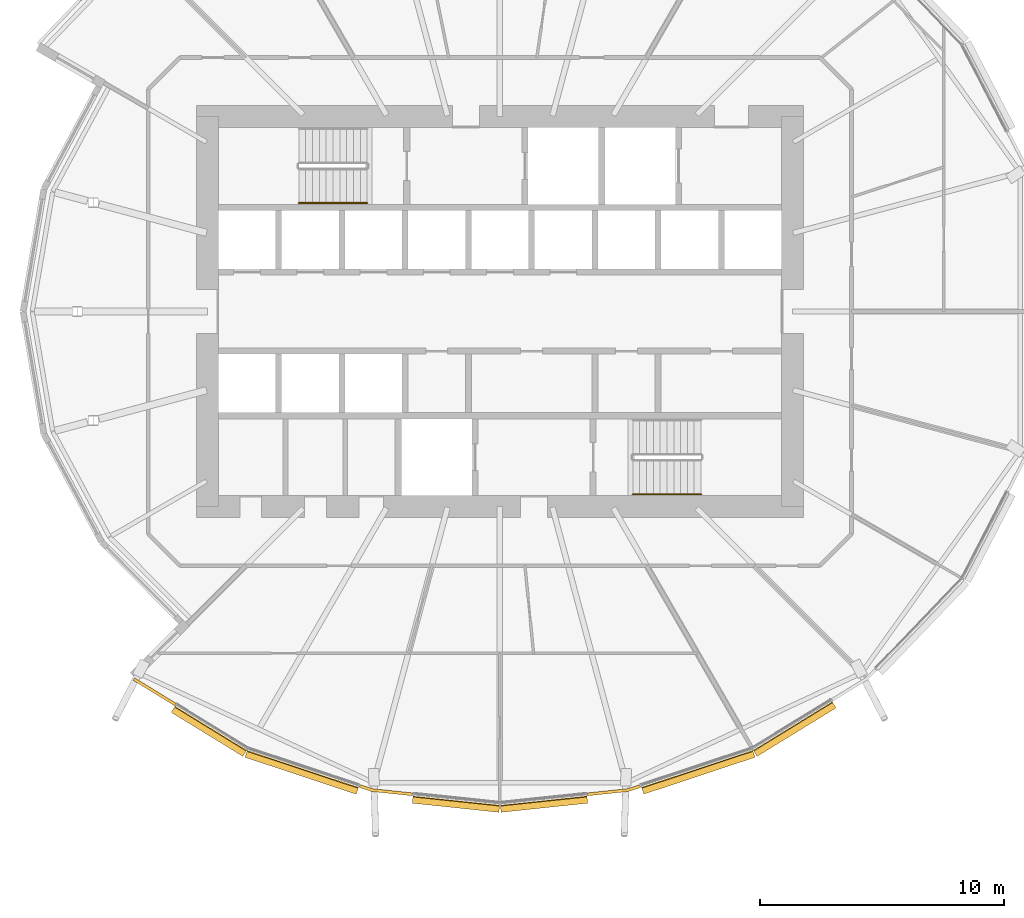
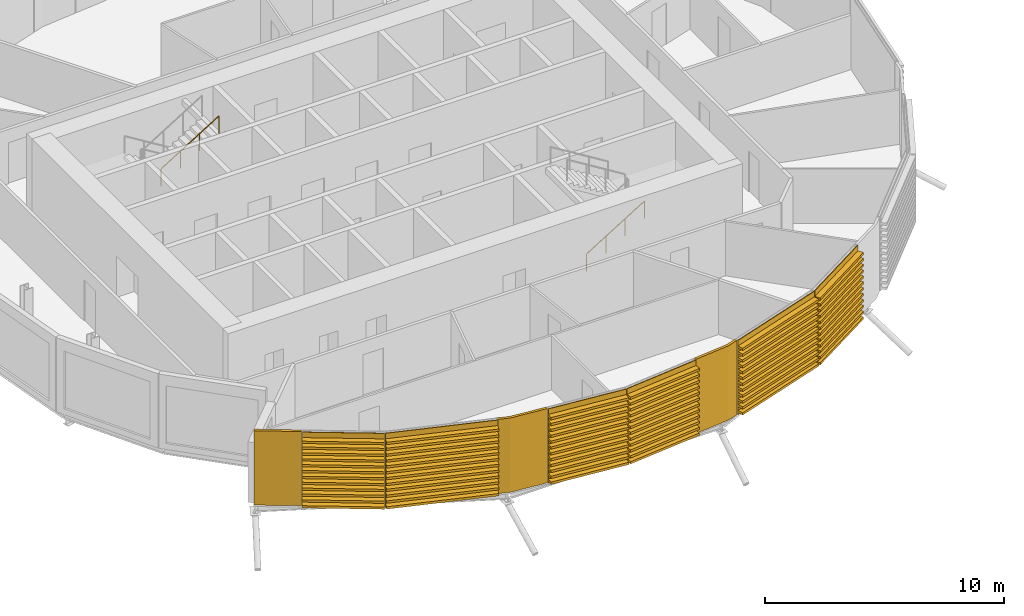
# One storey, part 32 of 37: 9 coverings, 2 railings.
"""IFC4 building model written with IfcOpenShell, lengths in metres."""

import ifcopenshell
import ifcopenshell.guid

model = None  # the IFC model being written
_history = None  # IfcOwnerHistory: only IFC2X3 demands one
_inside = {}  # id of a spatial element -> (the spatial element, [elements in it])
_under = {}  # id of a project, library or spatial element -> (it, [spatial elements below it])
_declared = {}  # id of a project -> (the project, [libraries it declares])
_typed = {}  # id of a type object -> (the type object, [elements of that type])
_made_of = {}  # id of a material, layer set ... -> (it, [elements and type objects made of it])


def new_model(schema):
    """Start an empty IFC model of exactly this schema.

    Asked for "IFC4X3", IfcOpenShell would pick the latest addendum, in which some entities
    have other attributes; the version numbers below select the first issue.
    IFC2X3 requires an IfcOwnerHistory on every rooted entity: one is made here for all.
    """
    global model, _history
    if schema == "IFC4X3":
        model = ifcopenshell.file(schema_version=(4, 3, 0, 0))
    else:
        model = ifcopenshell.file(schema=schema)
    _inside.clear()
    _under.clear()
    _declared.clear()
    _typed.clear()
    _made_of.clear()
    _history = None
    if model.schema == "IFC2X3":
        org = make("IfcOrganization", Name="unknown")
        user = make(
            "IfcPersonAndOrganization",
            ThePerson=make("IfcPerson", FamilyName="unknown"),
            TheOrganization=org,
        )
        app = make(
            "IfcApplication",
            ApplicationDeveloper=org,
            Version="unknown",
            ApplicationFullName="unknown",
            ApplicationIdentifier="unknown",
        )
        _history = make(
            "IfcOwnerHistory",
            OwningUser=user,
            OwningApplication=app,
            ChangeAction="ADDED",
            CreationDate=0,
        )
    return model


def make(cls, **values):
    """One entity of the class cls with the attributes given. An attribute that is None is left unset."""
    return model.create_entity(
        cls, **{name: value for name, value in values.items() if value is not None}
    )


def rooted(cls, **values):
    """An entity with a GlobalId (a new one), such as an element, a storey or a relation."""
    return make(cls, GlobalId=ifcopenshell.guid.new(), OwnerHistory=_history, **values)


def si_unit(unit_type, name, prefix=None):
    """IfcSIUnit, for example si_unit("LENGTHUNIT", "METRE", prefix="MILLI")."""
    return make("IfcSIUnit", UnitType=unit_type, Prefix=prefix, Name=name)


def assignment(units):
    """IfcUnitAssignment: the units of a project."""
    return None if units is None else make("IfcUnitAssignment", Units=units)


def point(xyz):
    """IfcCartesianPoint."""
    return None if xyz is None else make("IfcCartesianPoint", Coordinates=xyz)


def direction(xyz):
    """IfcDirection."""
    return None if xyz is None else make("IfcDirection", DirectionRatios=xyz)


def frame(location, z_axis=None, x_axis=None):
    """IfcAxis2Placement3D, a coordinate frame: its origin and axes. An axis left out is left unset."""
    return make(
        "IfcAxis2Placement3D",
        Location=point(location),
        Axis=direction(z_axis),
        RefDirection=direction(x_axis),
    )


def frame_2d(location, x_axis=None):
    """IfcAxis2Placement2D, a coordinate frame in the plane: its origin and x axis."""
    return make(
        "IfcAxis2Placement2D", Location=point(location), RefDirection=direction(x_axis)
    )


def origin():
    """The frame at (0, 0, 0) with its axes left unset."""
    return frame((0.0, 0.0, 0.0))


def origin_2d():
    """The frame at (0, 0) in the plane with its x axis left unset."""
    return frame_2d((0.0, 0.0))


def place(relative_to, where):
    """IfcLocalPlacement: puts the frame where relative to a parent placement (None: the world)."""
    return make(
        "IfcLocalPlacement", PlacementRelTo=relative_to, RelativePlacement=where
    )


def context(
    kind, dimensions, precision=None, world=None, true_north=None, identifier=None
):
    """IfcGeometricRepresentationContext, for example the 3D "Model" context."""
    return make(
        "IfcGeometricRepresentationContext",
        ContextIdentifier=identifier,
        ContextType=kind,
        CoordinateSpaceDimension=dimensions,
        Precision=precision,
        WorldCoordinateSystem=world,
        TrueNorth=true_north,
    )


def subcontext(parent, identifier, kind, view, scale=None):
    """IfcGeometricRepresentationSubContext, for example "Body" below "Model"."""
    return make(
        "IfcGeometricRepresentationSubContext",
        ContextIdentifier=identifier,
        ContextType=kind,
        ParentContext=parent,
        TargetScale=scale,
        TargetView=view,
    )


def project(units=None, contexts=None):
    """IfcProject with its units and contexts."""
    return rooted(
        "IfcProject",
        Name="project",
        RepresentationContexts=contexts,
        UnitsInContext=assignment(units),
    )


def spatial(cls, under=None, at=None, **own):
    """A site, building, storey or space (cls), placed at a placement, below another one or the project."""
    s = rooted(cls, ObjectPlacement=at, **own)
    if under is not None:
        _under.setdefault(under.id(), (under, []))[1].append(s)
    return s


def polyline(points):
    """IfcPolyline through the points."""
    return make("IfcPolyline", Points=[point(p) for p in points])


def profile(cls, at=None, kind="AREA", **sizes):
    """A parametric profile (cls). Its sizes go by their IFC names, for example OverallWidth=200.0."""
    return make(cls, ProfileType=kind, Position=at, **sizes)


def circle(**sizes):
    """IfcCircleProfileDef."""
    return profile("IfcCircleProfileDef", **sizes)


def outline(outer, holes=None, kind="AREA"):
    """IfcArbitraryClosedProfileDef: a profile drawn as a closed curve; with holes, ...WithVoids."""
    if holes is None:
        return make("IfcArbitraryClosedProfileDef", ProfileType=kind, OuterCurve=outer)
    return make(
        "IfcArbitraryProfileDefWithVoids",
        ProfileType=kind,
        OuterCurve=outer,
        InnerCurves=holes,
    )


def extrude(swept, where, along, depth):
    """IfcExtrudedAreaSolid: the profile swept, set in the frame where, extruded along a direction by depth."""
    return make(
        "IfcExtrudedAreaSolid",
        SweptArea=swept,
        Position=where,
        ExtrudedDirection=direction(along),
        Depth=depth,
    )


def shape(context_of_items, identifier, shape_type, items):
    """IfcShapeRepresentation: the items that make up one representation, for example the "Body"."""
    return make(
        "IfcShapeRepresentation",
        ContextOfItems=context_of_items,
        RepresentationIdentifier=identifier,
        RepresentationType=shape_type,
        Items=items,
    )


def material(Name=None, Category=None):
    """IfcMaterial."""
    return make("IfcMaterial", Name=Name, Category=Category)


def layer(
    of_material, thickness, ventilated=None, Name=None, Category=None, Priority=None
):
    """IfcMaterialLayer: one layer of a wall or slab, of a material (None: an air gap)."""
    return make(
        "IfcMaterialLayer",
        Material=of_material,
        LayerThickness=thickness,
        IsVentilated=ventilated,
        Name=Name,
        Category=Category,
        Priority=Priority,
    )


def layer_set(layers, Name=None):
    """IfcMaterialLayerSet."""
    return make("IfcMaterialLayerSet", MaterialLayers=layers, LayerSetName=Name)


def material_profile(
    of_material, cross_section, Name=None, Category=None, Priority=None
):
    """IfcMaterialProfile: a cross section and its material."""
    return make(
        "IfcMaterialProfile",
        Name=Name,
        Material=of_material,
        Profile=cross_section,
        Priority=Priority,
        Category=Category,
    )


def profile_set(profiles, Name=None, composite=None):
    """IfcMaterialProfileSet."""
    return make(
        "IfcMaterialProfileSet",
        Name=Name,
        MaterialProfiles=profiles,
        CompositeProfile=composite,
    )


def made_of(thing, what):
    """Note that an element or type object is made of a material, layer set ...; save() writes the relation."""
    if what is not None:
        _made_of.setdefault(what.id(), (what, []))[1].append(thing)
    return thing


def type_object(cls, material=None, **own):
    """A type object (cls), such as IfcWallType, which elements share."""
    return made_of(rooted(cls, **own), material)


def element(
    cls,
    number,
    at=None,
    inside=None,
    cuts=None,
    type_object=None,
    material=None,
    context=None,
    identifier="Body",
    shape_type=None,
    held_by="IfcProductDefinitionShape",
    body=None,
    shapes=None,
    **own,
):
    """One element of the class cls, such as IfcWall. Its Tag is "e" and its number.

    at: its placement. inside: the storey or other place that contains it. cuts: it is an
    opening in that element (IfcRelVoidsElement). A single representation is given by context,
    identifier, shape_type and body (its items); several are given by shapes. held_by: the class
    of the entity that holds the representations. save() writes the other relations.
    """
    e = rooted(cls, Tag="e%d" % number, ObjectPlacement=at, **own)
    if body is not None:
        shapes = [shape(context, identifier, shape_type, body)]
    if shapes is not None:
        e.Representation = make(held_by, Representations=shapes)
    if inside is not None:
        _inside.setdefault(inside.id(), (inside, []))[1].append(e)
    if cuts is not None:
        rooted(
            "IfcRelVoidsElement", RelatingBuildingElement=cuts, RelatedOpeningElement=e
        )
    if type_object is not None:
        _typed.setdefault(type_object.id(), (type_object, []))[1].append(e)
    return made_of(e, material)


def aggregate(whole, parts):
    """IfcRelAggregates: a whole, such as a stair, and the parts it consists of."""
    return rooted("IfcRelAggregates", RelatingObject=whole, RelatedObjects=parts)


def save(model, path):
    """Write the relations noted so far, then the file.

    IfcRelAggregates (storeys below a building ...), IfcRelContainedInSpatialStructure (elements
    in a storey), IfcRelDefinesByType, IfcRelAssociatesMaterial and IfcRelDeclares: one each for
    every whole, place, type object, material and project.
    """
    for whole, parts in _under.values():
        aggregate(whole, parts)
    for where, things in _inside.values():
        rooted(
            "IfcRelContainedInSpatialStructure",
            RelatedElements=things,
            RelatingStructure=where,
        )
    for kind, things in _typed.values():
        rooted("IfcRelDefinesByType", RelatedObjects=things, RelatingType=kind)
    for what, things in _made_of.values():
        rooted("IfcRelAssociatesMaterial", RelatedObjects=things, RelatingMaterial=what)
    for by, libraries in _declared.values():
        rooted("IfcRelDeclares", RelatingContext=by, RelatedDefinitions=libraries)
    model.write(path)


model = new_model("IFC4")

# Units and contexts
model_context = context("Model", 3, precision=1e-05, world=origin(), true_north=direction((0.0, 1.0)))
body_context = subcontext(model_context, "Body", "Model", "MODEL_VIEW")
ifc_project = project(units=[si_unit("LENGTHUNIT", "METRE"), si_unit("AREAUNIT", "SQUARE_METRE"), si_unit("VOLUMEUNIT", "CUBIC_METRE"), si_unit("PLANEANGLEUNIT", "RADIAN"), si_unit("MASSUNIT", "GRAM", prefix="KILO")], contexts=[model_context])

# Site, building, storey
site_placement = place(None, origin())
site = spatial("IfcSite", under=ifc_project, at=site_placement, CompositionType="ELEMENT")
building_placement = place(site_placement, origin())
building = spatial("IfcBuilding", under=site, at=building_placement, Name="Rimbun Link Towers", CompositionType="ELEMENT")
storey_placement = place(building_placement, frame((0.0, 0.0, 45.199951171875)))
storey = spatial("IfcBuildingStorey", under=building, at=storey_placement, Name="L10", CompositionType="ELEMENT", Elevation=45.199951171875)

# Coverings
ifc_material_1 = material(Name="Terracotta", Category="masonry")
ifc_layer = layer(ifc_material_1, 0.1201171875)
ifc_layer_set = layer_set([ifc_layer], Name="LINK PIER terracotta cladding 120")
covering_type_1 = type_object("IfcCoveringType", Name="LINK PIER terracotta cladding 120", PredefinedType="CLADDING", material=ifc_layer_set)
covering_1_placement = place(storey_placement, origin())
element("IfcCovering", 1, at=covering_1_placement, inside=storey, type_object=covering_type_1, Name="LINK PIER cladding", PredefinedType="CLADDING", context=body_context, shape_type="SweptSolid", body=[
    extrude(outline(polyline([(-45.041748046875, -16.070068359375), (-46.737548828125, -15.02880859375), (-46.800537109375, -15.131103515625), (-45.1044921875, -16.17236328125), (-45.041748046875, -16.070068359375)])), origin(), (0.0, 0.0, 1.0), 3.800048828125),
])
covering_2_placement = place(storey_placement, origin())
element("IfcCovering", 2, at=covering_2_placement, inside=storey, type_object=covering_type_1, Name="LINK PIER cladding", PredefinedType="CLADDING", context=body_context, shape_type="SweptSolid", body=[
    extrude(outline(polyline([(-35.333984375, -19.7490234375), (-36.994873046875, -19.57421875), (-37.488525390625, -19.41064453125), (-37.5263671875, -19.524658203125), (-37.020263671875, -19.692138671875), (-35.3466796875, -19.868408203125), (-35.333984375, -19.7490234375)])), origin(), (0.0, 0.0, 1.0), 3.800048828125),
])
covering_3_placement = place(storey_placement, origin())
element("IfcCovering", 3, at=covering_3_placement, inside=storey, type_object=covering_type_1, Name="LINK PIER cladding", PredefinedType="CLADDING", context=body_context, shape_type="SweptSolid", body=[
    extrude(outline(polyline([(-26.011474609375, -19.41064453125), (-26.505126953125, -19.57421875), (-28.166015625, -19.7490234375), (-28.1533203125, -19.868408203125), (-26.479736328125, -19.692138671875), (-25.9736328125, -19.524658203125), (-26.011474609375, -19.41064453125)])), origin(), (0.0, 0.0, 1.0), 3.800048828125),
])

# Railings
ifc_material_2 = material(Name="Stainless steel grade 316", Category="steel")
railing_type = type_object("IfcRailingType", Name="Stair handrail", PredefinedType="HANDRAIL", material=ifc_material_2)
for number, where, name in (
    (4, (-40.0, 4.449951171875, 2.07275390625), "L10 ST1 stair handrail 2"),
    (5, (-26.300048828125, -7.5, 0.1728515625), "L10 ST2 stair handrail 1"),
):
    element("IfcRailing", number, at=place(storey_placement, frame(where)), inside=storey, type_object=railing_type, Name=name, PredefinedType="HANDRAIL", context=body_context, shape_type="SweptSolid", body=[
        extrude(circle(Radius=0.02392578125, at=origin_2d()), frame((0.0, 0.0, 0.8759765625), z_axis=(0.851089632645, 0.0, 0.525020415988), x_axis=(0.0, 1.0, 0.0)), (0.0, 0.0, 1.0), 3.2900390625),
        extrude(circle(Radius=0.02099609375, at=origin_2d()), origin(), (0.0, 0.0, 1.0), 0.851806640625),
        extrude(circle(Radius=0.02099609375, at=origin_2d()), frame((0.933349609375, 0.0, 0.57568359375)), (0.0, 0.0, 1.0), 0.851806640625),
        extrude(circle(Radius=0.02099609375, at=origin_2d()), frame((1.86669921875, 0.0, 1.151611328125)), (0.0, 0.0, 1.0), 0.851806640625),
        extrude(circle(Radius=0.02099609375, at=origin_2d()), frame((2.800048828125, 0.0, 1.727294921875)), (0.0, 0.0, 1.0), 0.851806640625),
    ])

# Coverings
ifc_material_3 = material(Name="Terracotta", Category="masonry")
ifc_material_profile = material_profile(ifc_material_3, outline(polyline([(0.123046875, 0.0), (0.1630859375, 0.0), (0.1630859375, 0.10009765625), (0.423095703125, 0.10009765625), (0.423095703125, 0.219970703125), (0.1630859375, 0.219970703125), (0.1630859375, 0.39990234375), (0.423095703125, 0.39990234375), (0.423095703125, 0.52001953125), (0.1630859375, 0.52001953125), (0.1630859375, 0.699951171875), (0.423095703125, 0.699951171875), (0.423095703125, 0.820068359375), (0.1630859375, 0.820068359375), (0.1630859375, 1.0), (0.423095703125, 1.0), (0.423095703125, 1.1201171875), (0.1630859375, 1.1201171875), (0.1630859375, 1.300048828125), (0.423095703125, 1.300048828125), (0.423095703125, 1.419921875), (0.1630859375, 1.419921875), (0.1630859375, 1.60009765625), (0.423095703125, 1.60009765625), (0.423095703125, 1.719970703125), (0.1630859375, 1.719970703125), (0.1630859375, 1.89990234375), (0.423095703125, 1.89990234375), (0.423095703125, 2.02001953125), (0.1630859375, 2.02001953125), (0.1630859375, 2.199951171875), (0.423095703125, 2.199951171875), (0.423095703125, 2.320068359375), (0.1630859375, 2.320068359375), (0.1630859375, 2.5), (0.423095703125, 2.5), (0.423095703125, 2.6201171875), (0.1630859375, 2.6201171875), (0.1630859375, 2.800048828125), (0.423095703125, 2.800048828125), (0.423095703125, 2.919921875), (0.1630859375, 2.919921875), (0.1630859375, 3.10009765625), (0.423095703125, 3.10009765625), (0.423095703125, 3.219970703125), (0.1630859375, 3.219970703125), (0.1630859375, 3.39990234375), (0.423095703125, 3.39990234375), (0.423095703125, 3.52001953125), (0.1630859375, 3.52001953125), (0.1630859375, 3.800048828125), (0.123046875, 3.800048828125), (0.123046875, 0.0)])), Name="BAGUETTE 120X300")
ifc_profile_set = profile_set([ifc_material_profile], Name="Terracotta")
covering_type_2 = type_object("IfcCoveringType", Name="TERRACOTTA BAGUETTE 120X300 H3800", PredefinedType="CLADDING", material=ifc_profile_set)
covering_4_placement = place(storey_placement, frame((-42.07861328125, -17.8896484375, 0.0), z_axis=(-0.852173441979, 0.523259423981, 0.0), x_axis=(-0.523259423981, -0.852173441979, 0.0)))
element("IfcCovering", 6, at=covering_4_placement, inside=storey, type_object=covering_type_2, Name="TERRACOTTA BAGUETTE", PredefinedType="CLADDING", context=body_context, shape_type="SweptSolid", body=[
    extrude(outline(polyline([(0.123046875, 0.0), (0.1630859375, 0.0), (0.1630859375, 0.10009765625), (0.423095703125, 0.10009765625), (0.423095703125, 0.219970703125), (0.1630859375, 0.219970703125), (0.1630859375, 0.39990234375), (0.423095703125, 0.39990234375), (0.423095703125, 0.52001953125), (0.1630859375, 0.52001953125), (0.1630859375, 0.699951171875), (0.423095703125, 0.699951171875), (0.423095703125, 0.820068359375), (0.1630859375, 0.820068359375), (0.1630859375, 1.0), (0.423095703125, 1.0), (0.423095703125, 1.1201171875), (0.1630859375, 1.1201171875), (0.1630859375, 1.300048828125), (0.423095703125, 1.300048828125), (0.423095703125, 1.419921875), (0.1630859375, 1.419921875), (0.1630859375, 1.60009765625), (0.423095703125, 1.60009765625), (0.423095703125, 1.719970703125), (0.1630859375, 1.719970703125), (0.1630859375, 1.89990234375), (0.423095703125, 1.89990234375), (0.423095703125, 2.02001953125), (0.1630859375, 2.02001953125), (0.1630859375, 2.199951171875), (0.423095703125, 2.199951171875), (0.423095703125, 2.320068359375), (0.1630859375, 2.320068359375), (0.1630859375, 2.5), (0.423095703125, 2.5), (0.423095703125, 2.6201171875), (0.1630859375, 2.6201171875), (0.1630859375, 2.800048828125), (0.423095703125, 2.800048828125), (0.423095703125, 2.919921875), (0.1630859375, 2.919921875), (0.1630859375, 3.10009765625), (0.423095703125, 3.10009765625), (0.423095703125, 3.219970703125), (0.1630859375, 3.219970703125), (0.1630859375, 3.39990234375), (0.423095703125, 3.39990234375), (0.423095703125, 3.52001953125), (0.1630859375, 3.52001953125), (0.1630859375, 3.800048828125), (0.123046875, 3.800048828125), (0.123046875, 0.0)])), origin(), (0.0, 0.0, 1.0), 3.447021484375),
])
covering_5_placement = place(storey_placement, frame((-37.51708984375, -19.401123046875, 0.0), z_axis=(-0.949245728051, 0.314535447568, 0.0), x_axis=(-0.314535447568, -0.949245728051, 0.0)))
element("IfcCovering", 7, at=covering_5_placement, inside=storey, type_object=covering_type_2, Name="TERRACOTTA BAGUETTE", PredefinedType="CLADDING", context=body_context, shape_type="SweptSolid", body=[
    extrude(outline(polyline([(0.123046875, 0.0), (0.1630859375, 0.0), (0.1630859375, 0.10009765625), (0.423095703125, 0.10009765625), (0.423095703125, 0.219970703125), (0.1630859375, 0.219970703125), (0.1630859375, 0.39990234375), (0.423095703125, 0.39990234375), (0.423095703125, 0.52001953125), (0.1630859375, 0.52001953125), (0.1630859375, 0.699951171875), (0.423095703125, 0.699951171875), (0.423095703125, 0.820068359375), (0.1630859375, 0.820068359375), (0.1630859375, 1.0), (0.423095703125, 1.0), (0.423095703125, 1.1201171875), (0.1630859375, 1.1201171875), (0.1630859375, 1.300048828125), (0.423095703125, 1.300048828125), (0.423095703125, 1.419921875), (0.1630859375, 1.419921875), (0.1630859375, 1.60009765625), (0.423095703125, 1.60009765625), (0.423095703125, 1.719970703125), (0.1630859375, 1.719970703125), (0.1630859375, 1.89990234375), (0.423095703125, 1.89990234375), (0.423095703125, 2.02001953125), (0.1630859375, 2.02001953125), (0.1630859375, 2.199951171875), (0.423095703125, 2.199951171875), (0.423095703125, 2.320068359375), (0.1630859375, 2.320068359375), (0.1630859375, 2.5), (0.423095703125, 2.5), (0.423095703125, 2.6201171875), (0.1630859375, 2.6201171875), (0.1630859375, 2.800048828125), (0.423095703125, 2.800048828125), (0.423095703125, 2.919921875), (0.1630859375, 2.919921875), (0.1630859375, 3.10009765625), (0.423095703125, 3.10009765625), (0.423095703125, 3.219970703125), (0.1630859375, 3.219970703125), (0.1630859375, 3.39990234375), (0.423095703125, 3.39990234375), (0.423095703125, 3.52001953125), (0.1630859375, 3.52001953125), (0.1630859375, 3.800048828125), (0.123046875, 3.800048828125), (0.123046875, 0.0)])), origin(), (0.0, 0.0, 1.0), 4.805419921875),
])
for number, where, z_axis, x_axis, name in (
    (8, (-31.75, -20.126708984375, 0.0), (-0.994494217738, 0.104791463801, 0.0), (-0.104791463801, -0.994494217738, 0.0), "TERRACOTTA BAGUETTE"),
    (9, (-28.19580078125, -19.752197265625, 0.0), (-0.994494217738, -0.104791463801, 0.0), (0.104791463801, -0.994494217738, 0.0), "TERRACOTTA BAGUETTE"),
):
    element("IfcCovering", number, at=place(storey_placement, frame(where, z_axis=z_axis, x_axis=x_axis)), inside=storey, type_object=covering_type_2, Name=name, PredefinedType="CLADDING", context=body_context, shape_type="SweptSolid", body=[
        extrude(outline(polyline([(0.123046875, 0.0), (0.1630859375, 0.0), (0.1630859375, 0.10009765625), (0.423095703125, 0.10009765625), (0.423095703125, 0.219970703125), (0.1630859375, 0.219970703125), (0.1630859375, 0.39990234375), (0.423095703125, 0.39990234375), (0.423095703125, 0.52001953125), (0.1630859375, 0.52001953125), (0.1630859375, 0.699951171875), (0.423095703125, 0.699951171875), (0.423095703125, 0.820068359375), (0.1630859375, 0.820068359375), (0.1630859375, 1.0), (0.423095703125, 1.0), (0.423095703125, 1.1201171875), (0.1630859375, 1.1201171875), (0.1630859375, 1.300048828125), (0.423095703125, 1.300048828125), (0.423095703125, 1.419921875), (0.1630859375, 1.419921875), (0.1630859375, 1.60009765625), (0.423095703125, 1.60009765625), (0.423095703125, 1.719970703125), (0.1630859375, 1.719970703125), (0.1630859375, 1.89990234375), (0.423095703125, 1.89990234375), (0.423095703125, 2.02001953125), (0.1630859375, 2.02001953125), (0.1630859375, 2.199951171875), (0.423095703125, 2.199951171875), (0.423095703125, 2.320068359375), (0.1630859375, 2.320068359375), (0.1630859375, 2.5), (0.423095703125, 2.5), (0.423095703125, 2.6201171875), (0.1630859375, 2.6201171875), (0.1630859375, 2.800048828125), (0.423095703125, 2.800048828125), (0.423095703125, 2.919921875), (0.1630859375, 2.919921875), (0.1630859375, 3.10009765625), (0.423095703125, 3.10009765625), (0.423095703125, 3.219970703125), (0.1630859375, 3.219970703125), (0.1630859375, 3.39990234375), (0.423095703125, 3.39990234375), (0.423095703125, 3.52001953125), (0.1630859375, 3.52001953125), (0.1630859375, 3.800048828125), (0.123046875, 3.800048828125), (0.123046875, 0.0)])), origin(), (0.0, 0.0, 1.0), 3.573974609375),
    ])
covering_6_placement = place(storey_placement, frame((-21.42138671875, -17.8896484375, 0.0), z_axis=(-0.949245728051, -0.314535447568, 0.0), x_axis=(0.314535447568, -0.949245728051, 0.0)))
element("IfcCovering", 10, at=covering_6_placement, inside=storey, type_object=covering_type_2, Name="TERRACOTTA BAGUETTE", PredefinedType="CLADDING", context=body_context, shape_type="SweptSolid", body=[
    extrude(outline(polyline([(0.123046875, 0.0), (0.1630859375, 0.0), (0.1630859375, 0.10009765625), (0.423095703125, 0.10009765625), (0.423095703125, 0.219970703125), (0.1630859375, 0.219970703125), (0.1630859375, 0.39990234375), (0.423095703125, 0.39990234375), (0.423095703125, 0.52001953125), (0.1630859375, 0.52001953125), (0.1630859375, 0.699951171875), (0.423095703125, 0.699951171875), (0.423095703125, 0.820068359375), (0.1630859375, 0.820068359375), (0.1630859375, 1.0), (0.423095703125, 1.0), (0.423095703125, 1.1201171875), (0.1630859375, 1.1201171875), (0.1630859375, 1.300048828125), (0.423095703125, 1.300048828125), (0.423095703125, 1.419921875), (0.1630859375, 1.419921875), (0.1630859375, 1.60009765625), (0.423095703125, 1.60009765625), (0.423095703125, 1.719970703125), (0.1630859375, 1.719970703125), (0.1630859375, 1.89990234375), (0.423095703125, 1.89990234375), (0.423095703125, 2.02001953125), (0.1630859375, 2.02001953125), (0.1630859375, 2.199951171875), (0.423095703125, 2.199951171875), (0.423095703125, 2.320068359375), (0.1630859375, 2.320068359375), (0.1630859375, 2.5), (0.423095703125, 2.5), (0.423095703125, 2.6201171875), (0.1630859375, 2.6201171875), (0.1630859375, 2.800048828125), (0.423095703125, 2.800048828125), (0.423095703125, 2.919921875), (0.1630859375, 2.919921875), (0.1630859375, 3.10009765625), (0.423095703125, 3.10009765625), (0.423095703125, 3.219970703125), (0.1630859375, 3.219970703125), (0.1630859375, 3.39990234375), (0.423095703125, 3.39990234375), (0.423095703125, 3.52001953125), (0.1630859375, 3.52001953125), (0.1630859375, 3.800048828125), (0.123046875, 3.800048828125), (0.123046875, 0.0)])), origin(), (0.0, 0.0, 1.0), 4.805419921875),
])
covering_7_placement = place(storey_placement, frame((-18.185546875, -15.902587890625, 0.0), z_axis=(-0.852154627226, -0.523290064206, 0.0), x_axis=(0.523290064206, -0.852154627226, 0.0)))
element("IfcCovering", 11, at=covering_7_placement, inside=storey, type_object=covering_type_2, Name="TERRACOTTA BAGUETTE", PredefinedType="CLADDING", context=body_context, shape_type="SweptSolid", body=[
    extrude(outline(polyline([(0.123046875, 0.0), (0.1630859375, 0.0), (0.1630859375, 0.10009765625), (0.423095703125, 0.10009765625), (0.423095703125, 0.219970703125), (0.1630859375, 0.219970703125), (0.1630859375, 0.39990234375), (0.423095703125, 0.39990234375), (0.423095703125, 0.52001953125), (0.1630859375, 0.52001953125), (0.1630859375, 0.699951171875), (0.423095703125, 0.699951171875), (0.423095703125, 0.820068359375), (0.1630859375, 0.820068359375), (0.1630859375, 1.0), (0.423095703125, 1.0), (0.423095703125, 1.1201171875), (0.1630859375, 1.1201171875), (0.1630859375, 1.300048828125), (0.423095703125, 1.300048828125), (0.423095703125, 1.419921875), (0.1630859375, 1.419921875), (0.1630859375, 1.60009765625), (0.423095703125, 1.60009765625), (0.423095703125, 1.719970703125), (0.1630859375, 1.719970703125), (0.1630859375, 1.89990234375), (0.423095703125, 1.89990234375), (0.423095703125, 2.02001953125), (0.1630859375, 2.02001953125), (0.1630859375, 2.199951171875), (0.423095703125, 2.199951171875), (0.423095703125, 2.320068359375), (0.1630859375, 2.320068359375), (0.1630859375, 2.5), (0.423095703125, 2.5), (0.423095703125, 2.6201171875), (0.1630859375, 2.6201171875), (0.1630859375, 2.800048828125), (0.423095703125, 2.800048828125), (0.423095703125, 2.919921875), (0.1630859375, 2.919921875), (0.1630859375, 3.10009765625), (0.423095703125, 3.10009765625), (0.423095703125, 3.219970703125), (0.1630859375, 3.219970703125), (0.1630859375, 3.39990234375), (0.423095703125, 3.39990234375), (0.423095703125, 3.52001953125), (0.1630859375, 3.52001953125), (0.1630859375, 3.800048828125), (0.123046875, 3.800048828125), (0.123046875, 0.0)])), origin(), (0.0, 0.0, 1.0), 3.79736328125),
])

save(model, "model.ifc")
